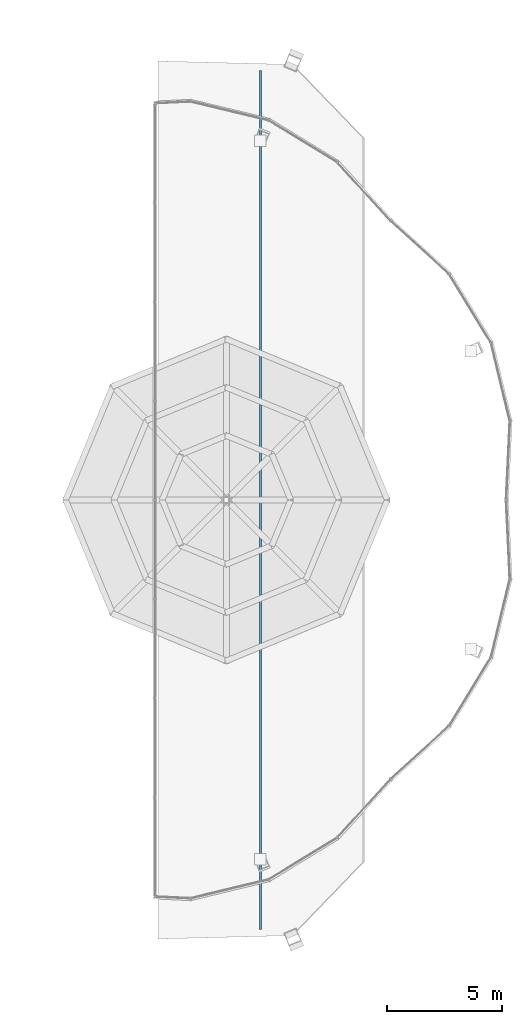
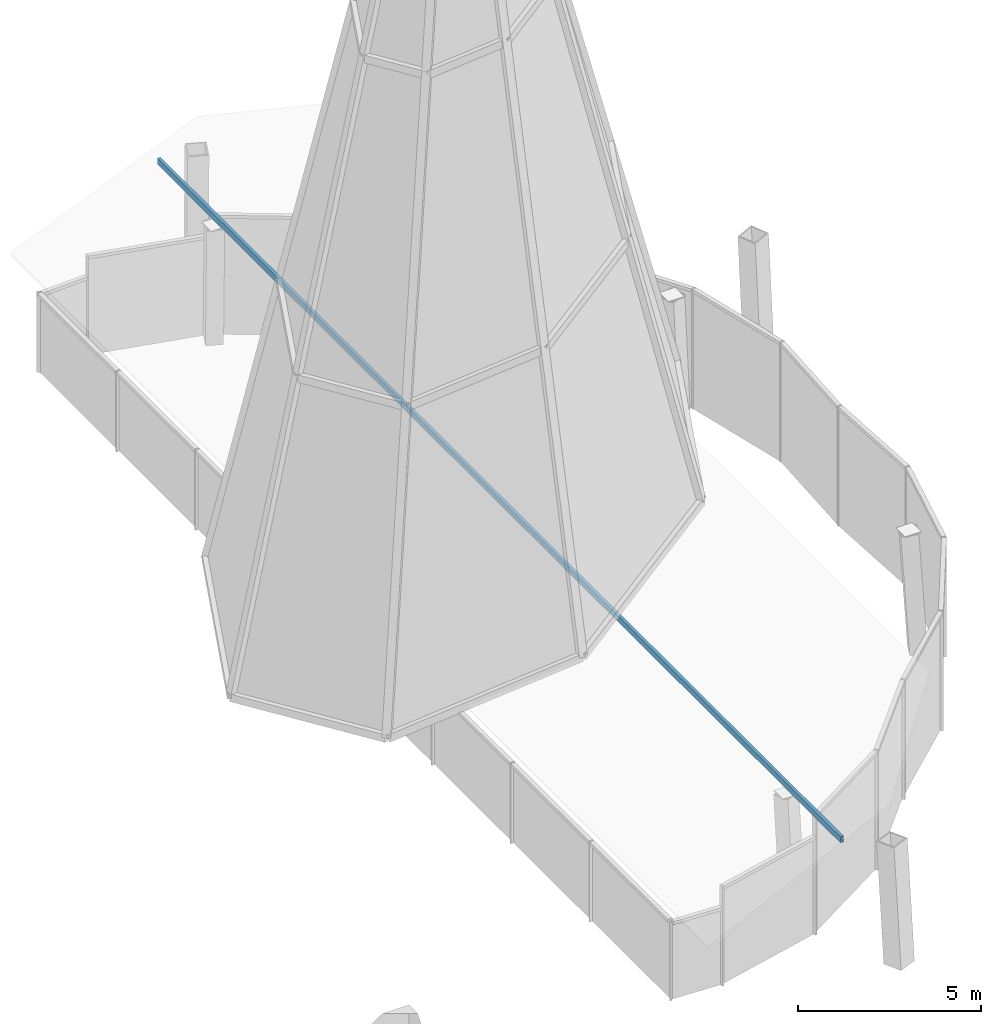
# One storey, part 4 of 16: 1 member.
"""IFC4 building model written with IfcOpenShell, lengths in metres."""

from ifc_helpers import new_model, si_unit, direction, frame, origin, origin_2d, place, context, subcontext, project, spatial, hollow_rectangle, extrude, material, material_profile, profile_set, type_object, element, save


model = new_model("IFC4")

# Units and contexts
model_context = context("Model", 3, precision=1e-05, world=origin(), true_north=direction((0.0, 1.0)))
body_context = subcontext(model_context, "Body", "Model", "MODEL_VIEW")
ifc_project = project(units=[si_unit("LENGTHUNIT", "METRE"), si_unit("AREAUNIT", "SQUARE_METRE"), si_unit("VOLUMEUNIT", "CUBIC_METRE"), si_unit("PLANEANGLEUNIT", "RADIAN"), si_unit("MASSUNIT", "GRAM", prefix="KILO")], contexts=[model_context])

# Site, building, storey
site_placement = place(None, origin())
site = spatial("IfcSite", under=ifc_project, at=site_placement, CompositionType="ELEMENT")
building_placement = place(site_placement, origin())
building = spatial("IfcBuilding", under=site, at=building_placement, Name="Ogive Gate Towers", CompositionType="ELEMENT")
storey_placement = place(building_placement, frame((0.0, 0.0, 310.0)))
storey = spatial("IfcBuildingStorey", under=building, at=storey_placement, Name="L73", CompositionType="ELEMENT", Elevation=310.0)

# Member
ifc_material = material(Name="Steel SM460", Category="steel")
ifc_material_profile = material_profile(ifc_material, hollow_rectangle(XDim=0.10009765625, YDim=0.199951171875, WallThickness=0.008056640625, at=origin_2d()), Name="RHS 200x100x8")
ifc_profile_set = profile_set([ifc_material_profile], Name="Steel SM460")
member_type = type_object("IfcMemberType", Name="Crown roof purlin RHS 200 x 100", PredefinedType="PURLIN", material=ifc_profile_set)
member_placement = place(storey_placement, frame((-29.517578125, -18.6923828125, 4.300048828125), z_axis=(0.0, 1.0, 0.0), x_axis=(-1.0, 0.0, 0.0)))
element("IfcMember", 1, at=member_placement, inside=storey, type_object=member_type, Name="Crown roof purlin", PredefinedType="PURLIN", context=body_context, shape_type="SweptSolid", body=[
    extrude(hollow_rectangle(XDim=0.10009765625, YDim=0.199951171875, WallThickness=0.008056640625, at=origin_2d()), origin(), (0.0, 0.0, 1.0), 37.384765625),
])

save(model, "model.ifc")
